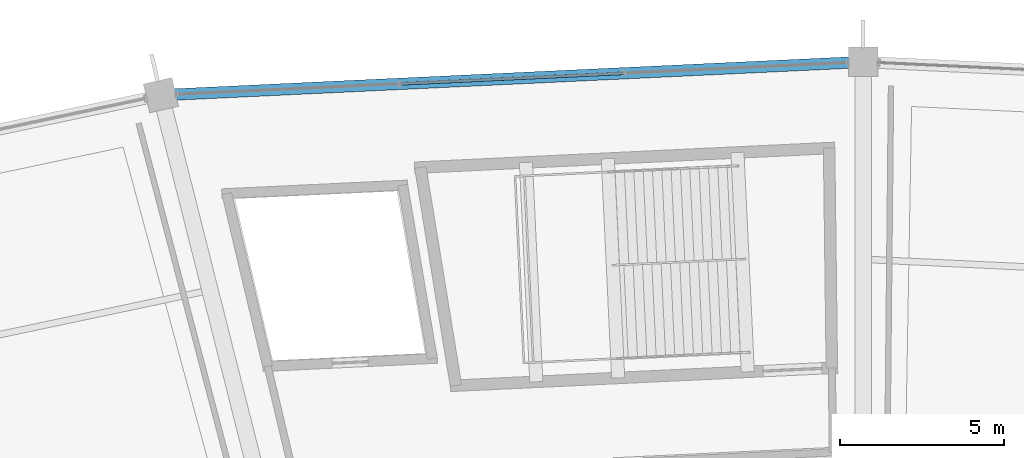
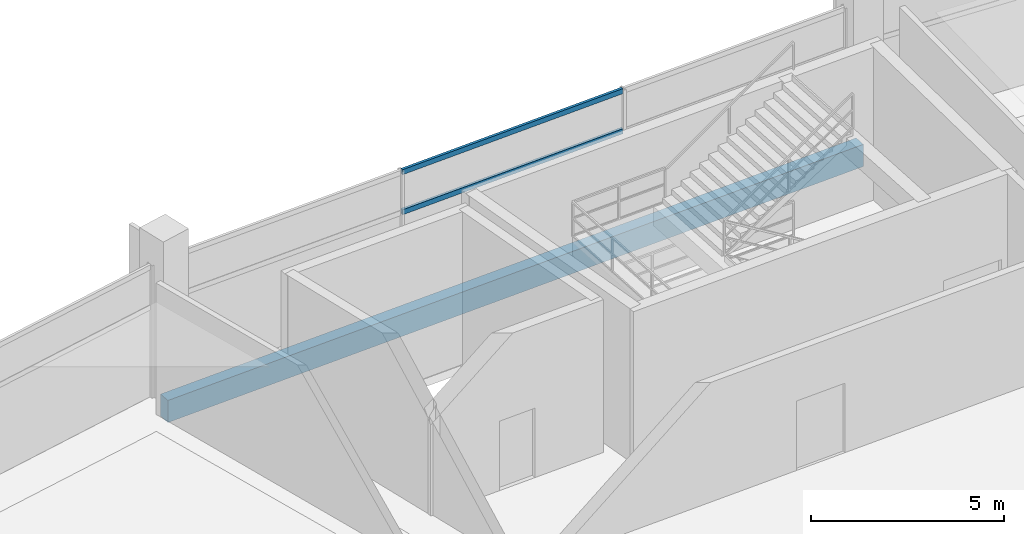
# One storey, part 119 of 184: 2 members, 1 beam, 1 element without a shape of its own.
"""IFC4 building model written with IfcOpenShell, lengths in metres."""

from ifc_helpers import new_model, si_unit, direction, frame, origin, origin_2d, place, context, subcontext, project, spatial, rectangle, hollow_rectangle, extrude, material, layer, layer_set, material_profile, profile_set, type_object, element, aggregate, save


model = new_model("IFC4")

# Units and contexts
model_context = context("Model", 3, precision=1e-05, world=origin(), true_north=direction((0.0, 1.0)))
body_context = subcontext(model_context, "Body", "Model", "MODEL_VIEW")
ifc_project = project(units=[si_unit("LENGTHUNIT", "METRE"), si_unit("AREAUNIT", "SQUARE_METRE"), si_unit("VOLUMEUNIT", "CUBIC_METRE"), si_unit("PLANEANGLEUNIT", "RADIAN"), si_unit("MASSUNIT", "GRAM", prefix="KILO")], contexts=[model_context])

# Site, building, storey
site_placement = place(None, origin())
site = spatial("IfcSite", under=ifc_project, at=site_placement, CompositionType="ELEMENT")
building_placement = place(site_placement, origin())
building = spatial("IfcBuilding", under=site, at=building_placement, Name="Kazemori Nagisa Stadium", CompositionType="ELEMENT")
storey_placement = place(building_placement, frame((0.0, 0.0, 10.5400390625)))
storey = spatial("IfcBuildingStorey", under=building, at=storey_placement, Name="L02", CompositionType="ELEMENT", Elevation=10.5400390625)

# Beam
ifc_material_1 = material(Name="Concrete C40/50 (Fc42)", Category="concrete")
ifc_material_profile_1 = material_profile(ifc_material_1, rectangle(XDim=0.35009765625, YDim=0.699951171875, at=origin_2d()), Name="RC-SP-350x700")
ifc_profile_set_1 = profile_set([ifc_material_profile_1], Name="Concrete C40/50 (Fc42)")
beam_type = type_object("IfcBeamType", Name="Beam_BS-RC350X700", PredefinedType="SPANDREL", material=ifc_profile_set_1)
beam_placement = place(storey_placement, frame((123.0, 188.0, -0.610107421875), z_axis=(-0.998883994571, -0.047230979144, 0.0), x_axis=(0.047230979144, -0.998883994571, 0.0)))
element("IfcBeam", 1, at=beam_placement, inside=storey, type_object=beam_type, Name="Ring girder BS-RC350X700 L02 R3-08", PredefinedType="SPANDREL", context=body_context, shape_type="SweptSolid", body=[
    extrude(rectangle(XDim=0.35009765625, YDim=0.699951171875, at=origin_2d()), origin(), (0.0, 0.0, 1.0), 21.45166015625),
])

# Curtain wall, members
ifc_material_2 = material(Name="Anodised aluminium 6063-T5", Category="aluminium")
ifc_layer = layer(ifc_material_2, 0.2099609375, Name="Anodised aluminium 6063-T5", Category="aluminium")
ifc_layer_set = layer_set([ifc_layer], Name="Anodised aluminium 6063-T5")
curtain_wall_type = type_object("IfcCurtainWallType", Name="CW_L02R3_103", PredefinedType="USERDEFINED", material=ifc_layer_set)
curtain_wall_placement = place(storey_placement, origin())
curtain_wall = element("IfcCurtainWall", 2, at=curtain_wall_placement, inside=storey, type_object=curtain_wall_type, Name="Unitised curtain wall CW-L02R3-103 L02", ObjectType="UNITISED CURTAIN WALL", PredefinedType="USERDEFINED")
ifc_material_3 = material(Name="Aluminium 6063-T5 anodised", Category="aluminium")
ifc_material_profile_2 = material_profile(ifc_material_3, hollow_rectangle(XDim=0.080078125, YDim=0.159912109375, WallThickness=0.00390625, at=origin_2d()), Name="ALU-TRAN-80x160x4")
ifc_profile_set_2 = profile_set([ifc_material_profile_2], Name="Aluminium 6063-T5 anodised")
member_type = type_object("IfcMemberType", Name="Transom_T02", PredefinedType="USERDEFINED", material=ifc_profile_set_2)
member_1_placement = place(storey_placement, frame((115.67919921875, 187.65380859375, 2.84912109375), z_axis=(-0.998884501545, -0.047220255973, 0.0), x_axis=(0.047220255973, -0.998884501545, 0.0)))
member_1 = element("IfcMember", 3, at=member_1_placement, type_object=member_type, Name="Curtain wall transom CW-L02R3-103-T2-mid", ObjectType="TRANSOM", PredefinedType="USERDEFINED", context=body_context, shape_type="SweptSolid", body=[
    extrude(hollow_rectangle(XDim=0.080078125, YDim=0.159912109375, WallThickness=0.00390625, at=origin_2d()), origin(), (0.0, 0.0, 1.0), 6.793701171875),
])
member_2_placement = place(storey_placement, frame((115.67919921875, 187.65380859375, 4.119873046875), z_axis=(-0.998884501545, -0.047220255973, 0.0), x_axis=(0.047220255973, -0.998884501545, 0.0)))
member_2 = element("IfcMember", 4, at=member_2_placement, type_object=member_type, Name="Curtain wall transom CW-L02R3-103-T2-head", ObjectType="TRANSOM", PredefinedType="USERDEFINED", context=body_context, shape_type="SweptSolid", body=[
    extrude(hollow_rectangle(XDim=0.080078125, YDim=0.159912109375, WallThickness=0.00390625, at=origin_2d()), origin(), (0.0, 0.0, 1.0), 6.793701171875),
])
aggregate(curtain_wall, [member_1, member_2])

save(model, "model.ifc")
